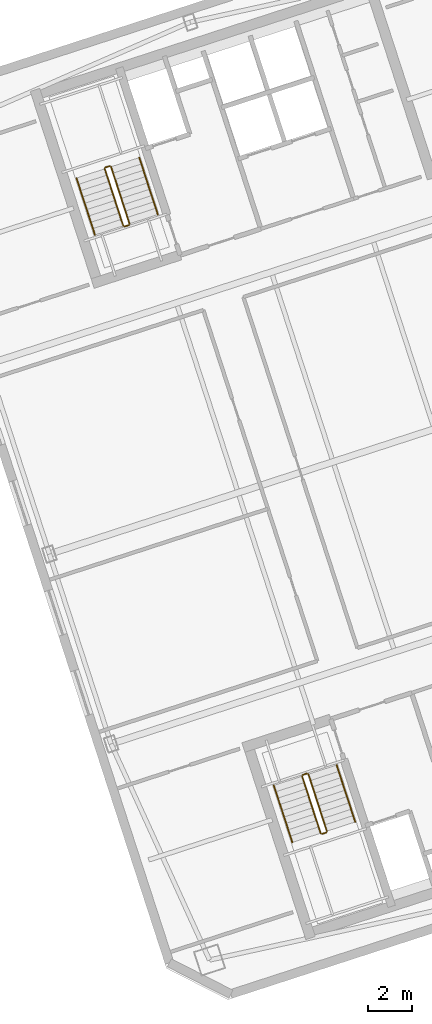
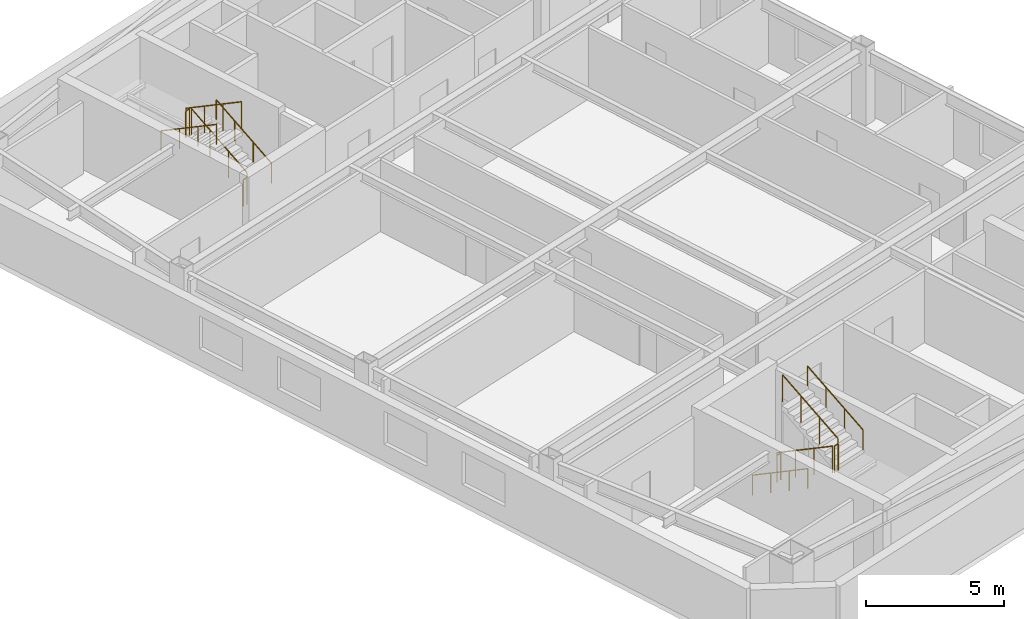
# One storey, part 25 of 25: 12 railings.
"""IFC4 building model written with IfcOpenShell, lengths in metres."""

from ifc_helpers import new_model, si_unit, direction, frame, origin, origin_2d, place, context, subcontext, project, spatial, circle, extrude, material, type_object, element, save


model = new_model("IFC4")

# Units and contexts
model_context = context("Model", 3, precision=1e-05, world=origin(), true_north=direction((0.0, 1.0)))
body_context = subcontext(model_context, "Body", "Model", "MODEL_VIEW")
ifc_project = project(units=[si_unit("LENGTHUNIT", "METRE"), si_unit("AREAUNIT", "SQUARE_METRE"), si_unit("VOLUMEUNIT", "CUBIC_METRE"), si_unit("PLANEANGLEUNIT", "RADIAN"), si_unit("MASSUNIT", "GRAM", prefix="KILO")], contexts=[model_context])

# Site, building, storey
site_placement = place(None, origin())
site = spatial("IfcSite", under=ifc_project, at=site_placement, CompositionType="ELEMENT")
building_placement = place(site_placement, origin())
building = spatial("IfcBuilding", under=site, at=building_placement, Name="Qiaolan Cultural Towers", CompositionType="ELEMENT")
storey_placement = place(building_placement, frame((0.0, 0.0, 202.39990234375)))
storey = spatial("IfcBuildingStorey", under=building, at=storey_placement, Name="L54", CompositionType="ELEMENT", Elevation=202.39990234375)

# Railings
ifc_material_1 = material(Name="Galvanized Painted Steel Stair Guardrail", Category="steel")
railing_type_1 = type_object("IfcRailingType", Name="RL-STAIR-GRD", PredefinedType="GUARDRAIL", material=ifc_material_1)
railing_1_placement = place(storey_placement, frame((88.60205078125, 19.82421875, 0.172607421875)))
element("IfcRailing", 1, at=railing_1_placement, inside=storey, type_object=railing_type_1, Name="L54 ST-E1 stair guard 1", PredefinedType="GUARDRAIL", context=body_context, shape_type="SweptSolid", body=[
    extrude(circle(Radius=0.02392578125, at=origin_2d()), frame((0.0, 0.0, 1.17578125), z_axis=(0.267925668498, -0.824471088726, 0.498460891159), x_axis=(0.951043371037, 0.309057448393, 0.0)), (0.0, 0.0, 1.0), 3.114501953125),
    extrude(circle(Radius=0.02099609375, at=origin_2d()), origin(), (0.0, 0.0, 1.0), 1.15185546875),
    extrude(circle(Radius=0.02099609375, at=origin_2d()), frame((0.278076171875, -0.85595703125, 0.517578125)), (0.0, 0.0, 1.0), 1.15185546875),
    extrude(circle(Radius=0.02099609375, at=origin_2d()), frame((0.556396484375, -1.7119140625, 1.034912109375)), (0.0, 0.0, 1.0), 1.15185546875),
    extrude(circle(Radius=0.02099609375, at=origin_2d()), frame((0.83447265625, -2.56787109375, 1.552490234375)), (0.0, 0.0, 1.0), 1.15185546875),
])
railing_2_placement = place(storey_placement, frame((89.49951171875, 17.224365234375, 1.72509765625)))
element("IfcRailing", 2, at=railing_2_placement, inside=storey, type_object=railing_type_1, Name="L54 ST-E1 stair guard 2", PredefinedType="GUARDRAIL", context=body_context, shape_type="SweptSolid", body=[
    extrude(circle(Radius=0.02392578125, at=origin_2d()), frame((0.0, 0.0, 1.17578125), z_axis=(0.951096855055, 0.308892816854, 0.0), x_axis=(-0.308892816854, 0.951096855055, 0.0)), (0.0, 0.0, 1.0), 0.199951171875),
    extrude(circle(Radius=0.02099609375, at=origin_2d()), origin(), (0.0, 0.0, 1.0), 1.15185546875),
    extrude(circle(Radius=0.02099609375, at=origin_2d()), frame((0.190185546875, 0.061767578125, 0.0)), (0.0, 0.0, 1.0), 1.15185546875),
])
railing_3_placement = place(storey_placement, frame((89.721923828125, 17.34912109375, 1.897705078125)))
element("IfcRailing", 3, at=railing_3_placement, inside=storey, type_object=railing_type_1, Name="L54 ST-E1 stair guard 3", PredefinedType="GUARDRAIL", context=body_context, shape_type="SweptSolid", body=[
    extrude(circle(Radius=0.02392578125, at=origin_2d()), frame((0.0, 0.0, 1.17578125), z_axis=(-0.267925668498, 0.824471088726, 0.498460891159), x_axis=(-0.951043371037, -0.309057448393, 0.0)), (0.0, 0.0, 1.0), 3.114501953125),
    extrude(circle(Radius=0.02099609375, at=origin_2d()), origin(), (0.0, 0.0, 1.0), 1.15185546875),
    extrude(circle(Radius=0.02099609375, at=origin_2d()), frame((-0.278076171875, 0.85595703125, 0.517578125)), (0.0, 0.0, 1.0), 1.15185546875),
    extrude(circle(Radius=0.02099609375, at=origin_2d()), frame((-0.556396484375, 1.7119140625, 1.034912109375)), (0.0, 0.0, 1.0), 1.15185546875),
    extrude(circle(Radius=0.02099609375, at=origin_2d()), frame((-0.83447265625, 2.56787109375, 1.552490234375)), (0.0, 0.0, 1.0), 1.15185546875),
])
railing_4_placement = place(storey_placement, frame((88.63427734375, 19.88720703125, 0.0)))
element("IfcRailing", 4, at=railing_4_placement, inside=storey, type_object=railing_type_1, Name="L54 ST-E1 stair guard 4", PredefinedType="GUARDRAIL", context=body_context, shape_type="SweptSolid", body=[
    extrude(circle(Radius=0.02392578125, at=origin_2d()), frame((0.0, 0.0, 1.17578125), z_axis=(0.951096855055, 0.308892816854, 0.0), x_axis=(-0.308892816854, 0.951096855055, 0.0)), (0.0, 0.0, 1.0), 0.199951171875),
    extrude(circle(Radius=0.02099609375, at=origin_2d()), origin(), (0.0, 0.0, 1.0), 1.15185546875),
    extrude(circle(Radius=0.02099609375, at=origin_2d()), frame((0.190185546875, 0.061767578125, 0.0)), (0.0, 0.0, 1.0), 1.15185546875),
])
railing_5_placement = place(storey_placement, frame((80.822021484375, 44.739501953125, 0.172607421875)))
element("IfcRailing", 5, at=railing_5_placement, inside=storey, type_object=railing_type_1, Name="L54 ST-E2 stair guard 1", PredefinedType="GUARDRAIL", context=body_context, shape_type="SweptSolid", body=[
    extrude(circle(Radius=0.02392578125, at=origin_2d()), frame((0.0, 0.0, 1.17578125), z_axis=(-0.26785290645, 0.824488402118, 0.498471358535), x_axis=(-0.951069945308, -0.308975661068, 0.0)), (0.0, 0.0, 1.0), 3.114501953125),
    extrude(circle(Radius=0.02099609375, at=origin_2d()), origin(), (0.0, 0.0, 1.0), 1.15185546875),
    extrude(circle(Radius=0.02099609375, at=origin_2d()), frame((-0.278076171875, 0.85595703125, 0.517578125)), (0.0, 0.0, 1.0), 1.15185546875),
    extrude(circle(Radius=0.02099609375, at=origin_2d()), frame((-0.55615234375, 1.7119140625, 1.034912109375)), (0.0, 0.0, 1.0), 1.15185546875),
    extrude(circle(Radius=0.02099609375, at=origin_2d()), frame((-0.834228515625, 2.56787109375, 1.552490234375)), (0.0, 0.0, 1.0), 1.15185546875),
])
railing_6_placement = place(storey_placement, frame((79.9248046875, 47.33935546875, 1.72509765625)))
element("IfcRailing", 6, at=railing_6_placement, inside=storey, type_object=railing_type_1, Name="L54 ST-E2 stair guard 2", PredefinedType="GUARDRAIL", context=body_context, shape_type="SweptSolid", body=[
    extrude(circle(Radius=0.02392578125, at=origin_2d()), frame((0.0, 0.0, 1.17578125), z_axis=(-0.951096855055, -0.308892816854, 0.0), x_axis=(0.308892816854, -0.951096855055, 0.0)), (0.0, 0.0, 1.0), 0.199951171875),
    extrude(circle(Radius=0.02099609375, at=origin_2d()), origin(), (0.0, 0.0, 1.0), 1.15185546875),
    extrude(circle(Radius=0.02099609375, at=origin_2d()), frame((-0.190185546875, -0.061767578125, 0.0)), (0.0, 0.0, 1.0), 1.15185546875),
])
railing_7_placement = place(storey_placement, frame((79.702392578125, 47.214599609375, 1.897705078125)))
element("IfcRailing", 7, at=railing_7_placement, inside=storey, type_object=railing_type_1, Name="L54 ST-E2 stair guard 3", PredefinedType="GUARDRAIL", context=body_context, shape_type="SweptSolid", body=[
    extrude(circle(Radius=0.02392578125, at=origin_2d()), frame((0.0, 0.0, 1.17578125), z_axis=(0.267925668498, -0.824471088726, 0.498460891159), x_axis=(0.951043371037, 0.309057448393, 0.0)), (0.0, 0.0, 1.0), 3.114501953125),
    extrude(circle(Radius=0.02099609375, at=origin_2d()), origin(), (0.0, 0.0, 1.0), 1.15185546875),
    extrude(circle(Radius=0.02099609375, at=origin_2d()), frame((0.278076171875, -0.85595703125, 0.517578125)), (0.0, 0.0, 1.0), 1.15185546875),
    extrude(circle(Radius=0.02099609375, at=origin_2d()), frame((0.556396484375, -1.7119140625, 1.034912109375)), (0.0, 0.0, 1.0), 1.15185546875),
    extrude(circle(Radius=0.02099609375, at=origin_2d()), frame((0.83447265625, -2.56787109375, 1.552490234375)), (0.0, 0.0, 1.0), 1.15185546875),
])
railing_8_placement = place(storey_placement, frame((80.7900390625, 44.676513671875, 0.0)))
element("IfcRailing", 8, at=railing_8_placement, inside=storey, type_object=railing_type_1, Name="L54 ST-E2 stair guard 4", PredefinedType="GUARDRAIL", context=body_context, shape_type="SweptSolid", body=[
    extrude(circle(Radius=0.02392578125, at=origin_2d()), frame((0.0, 0.0, 1.17578125), z_axis=(-0.951096855055, -0.308892816854, 0.0), x_axis=(0.308892816854, -0.951096855055, 0.0)), (0.0, 0.0, 1.0), 0.199951171875),
    extrude(circle(Radius=0.02099609375, at=origin_2d()), origin(), (0.0, 0.0, 1.0), 1.15185546875),
    extrude(circle(Radius=0.02099609375, at=origin_2d()), frame((-0.190185546875, -0.061767578125, 0.0)), (0.0, 0.0, 1.0), 1.15185546875),
])
ifc_material_2 = material(Name="Stainless Steel S30408 Tubular Handrail", Category="steel")
railing_type_2 = type_object("IfcRailingType", Name="RL-STAIR-HR", PredefinedType="HANDRAIL", material=ifc_material_2)
railing_9_placement = place(storey_placement, frame((87.32763671875, 19.41015625, 0.172607421875)))
element("IfcRailing", 9, at=railing_9_placement, inside=storey, type_object=railing_type_2, Name="L54 ST-E1 stair handrail 1", PredefinedType="HANDRAIL", context=body_context, shape_type="SweptSolid", body=[
    extrude(circle(Radius=0.02392578125, at=origin_2d()), frame((0.0, 0.0, 0.8759765625), z_axis=(0.267925668498, -0.824471088726, 0.498460891159), x_axis=(0.951043371037, 0.309057448393, 0.0)), (0.0, 0.0, 1.0), 3.114501953125),
    extrude(circle(Radius=0.02099609375, at=origin_2d()), origin(), (0.0, 0.0, 1.0), 0.851806640625),
    extrude(circle(Radius=0.02099609375, at=origin_2d()), frame((0.278076171875, -0.85595703125, 0.517578125)), (0.0, 0.0, 1.0), 0.851806640625),
    extrude(circle(Radius=0.02099609375, at=origin_2d()), frame((0.556396484375, -1.7119140625, 1.034912109375)), (0.0, 0.0, 1.0), 0.851806640625),
    extrude(circle(Radius=0.02099609375, at=origin_2d()), frame((0.83447265625, -2.56787109375, 1.552490234375)), (0.0, 0.0, 1.0), 0.851806640625),
])
railing_10_placement = place(storey_placement, frame((90.996337890625, 17.76318359375, 1.897705078125)))
element("IfcRailing", 10, at=railing_10_placement, inside=storey, type_object=railing_type_2, Name="L54 ST-E1 stair handrail 2", PredefinedType="HANDRAIL", context=body_context, shape_type="SweptSolid", body=[
    extrude(circle(Radius=0.02392578125, at=origin_2d()), frame((0.0, 0.0, 0.8759765625), z_axis=(-0.267925668498, 0.824471088726, 0.498460891159), x_axis=(-0.951043371037, -0.309057448393, 0.0)), (0.0, 0.0, 1.0), 3.114501953125),
    extrude(circle(Radius=0.02099609375, at=origin_2d()), origin(), (0.0, 0.0, 1.0), 0.851806640625),
    extrude(circle(Radius=0.02099609375, at=origin_2d()), frame((-0.278076171875, 0.85595703125, 0.517578125)), (0.0, 0.0, 1.0), 0.851806640625),
    extrude(circle(Radius=0.02099609375, at=origin_2d()), frame((-0.556396484375, 1.7119140625, 1.034912109375)), (0.0, 0.0, 1.0), 0.851806640625),
    extrude(circle(Radius=0.02099609375, at=origin_2d()), frame((-0.83447265625, 2.56787109375, 1.552490234375)), (0.0, 0.0, 1.0), 0.851806640625),
])
railing_11_placement = place(storey_placement, frame((82.096435546875, 45.153564453125, 0.172607421875)))
element("IfcRailing", 11, at=railing_11_placement, inside=storey, type_object=railing_type_2, Name="L54 ST-E2 stair handrail 1", PredefinedType="HANDRAIL", context=body_context, shape_type="SweptSolid", body=[
    extrude(circle(Radius=0.02392578125, at=origin_2d()), frame((0.0, 0.0, 0.8759765625), z_axis=(-0.26785290645, 0.824488402118, 0.498471358535), x_axis=(-0.951069945308, -0.308975661068, 0.0)), (0.0, 0.0, 1.0), 3.114501953125),
    extrude(circle(Radius=0.02099609375, at=origin_2d()), origin(), (0.0, 0.0, 1.0), 0.851806640625),
    extrude(circle(Radius=0.02099609375, at=origin_2d()), frame((-0.278076171875, 0.85595703125, 0.517578125)), (0.0, 0.0, 1.0), 0.851806640625),
    extrude(circle(Radius=0.02099609375, at=origin_2d()), frame((-0.55615234375, 1.7119140625, 1.034912109375)), (0.0, 0.0, 1.0), 0.851806640625),
    extrude(circle(Radius=0.02099609375, at=origin_2d()), frame((-0.834228515625, 2.56787109375, 1.552490234375)), (0.0, 0.0, 1.0), 0.851806640625),
])
railing_12_placement = place(storey_placement, frame((78.427978515625, 46.800537109375, 1.897705078125)))
element("IfcRailing", 12, at=railing_12_placement, inside=storey, type_object=railing_type_2, Name="L54 ST-E2 stair handrail 2", PredefinedType="HANDRAIL", context=body_context, shape_type="SweptSolid", body=[
    extrude(circle(Radius=0.02392578125, at=origin_2d()), frame((0.0, 0.0, 0.8759765625), z_axis=(0.267925668498, -0.824471088726, 0.498460891159), x_axis=(0.951043371037, 0.309057448393, 0.0)), (0.0, 0.0, 1.0), 3.114501953125),
    extrude(circle(Radius=0.02099609375, at=origin_2d()), origin(), (0.0, 0.0, 1.0), 0.851806640625),
    extrude(circle(Radius=0.02099609375, at=origin_2d()), frame((0.278076171875, -0.85595703125, 0.517578125)), (0.0, 0.0, 1.0), 0.851806640625),
    extrude(circle(Radius=0.02099609375, at=origin_2d()), frame((0.556396484375, -1.7119140625, 1.034912109375)), (0.0, 0.0, 1.0), 0.851806640625),
    extrude(circle(Radius=0.02099609375, at=origin_2d()), frame((0.83447265625, -2.56787109375, 1.552490234375)), (0.0, 0.0, 1.0), 0.851806640625),
])

save(model, "model.ifc")
